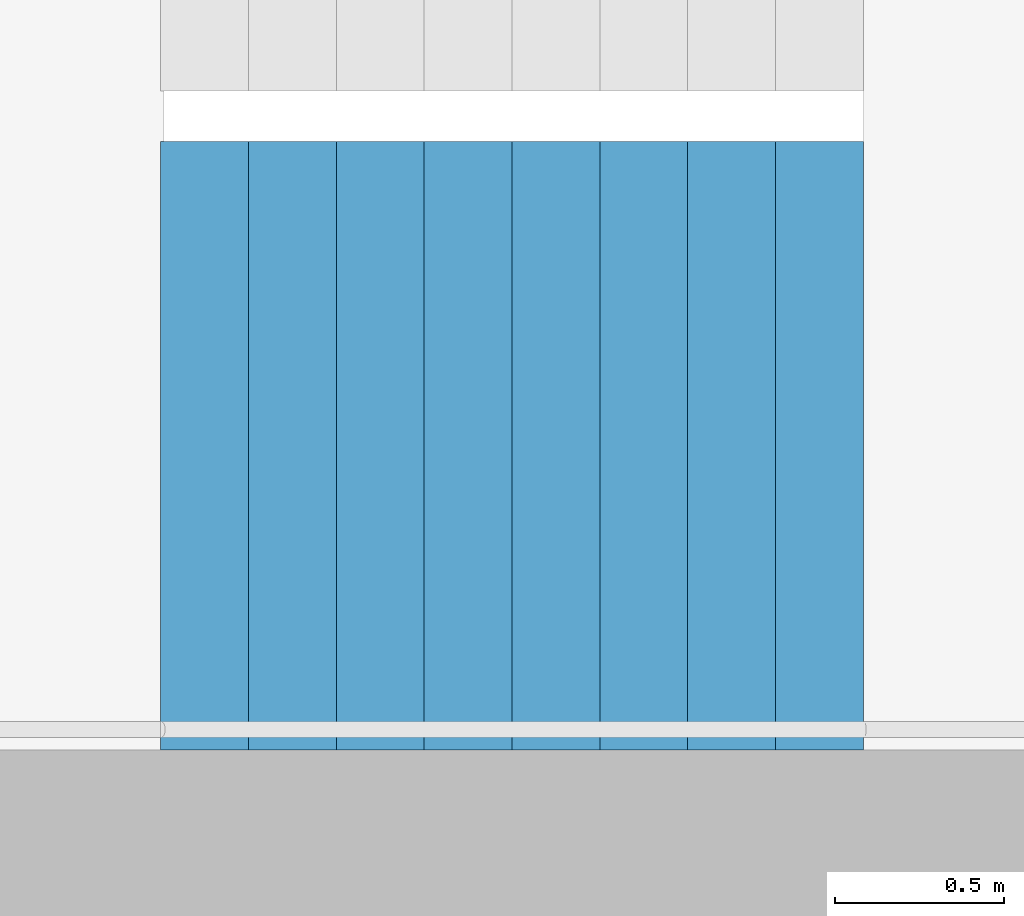
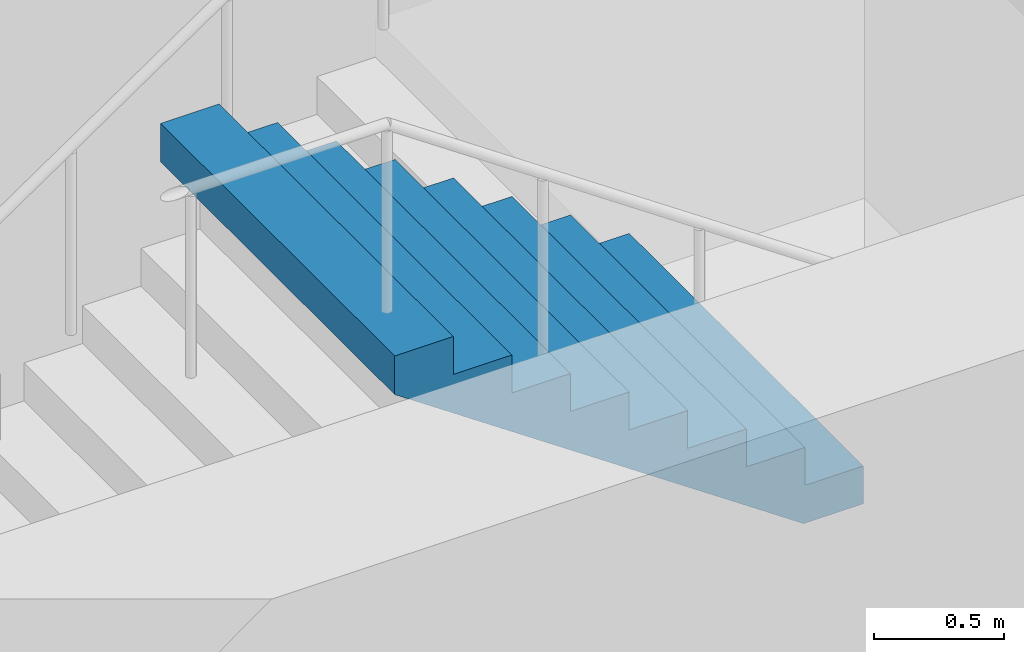
# One storey, part 25 of 29: 1 stair flight, 1 element without a shape of its own.
"""IFC4 building model written with IfcOpenShell, lengths in metres."""

from ifc_helpers import new_model, si_unit, direction, frame, origin, place, context, subcontext, project, spatial, triangles, material, type_object, element, aggregate, save


model = new_model("IFC4")

# Units and contexts
model_context = context("Model", 3, precision=1e-05, world=origin(), true_north=direction((0.0, 1.0)))
body_context = subcontext(model_context, "Body", "Model", "MODEL_VIEW")
ifc_project = project(units=[si_unit("LENGTHUNIT", "METRE"), si_unit("AREAUNIT", "SQUARE_METRE"), si_unit("VOLUMEUNIT", "CUBIC_METRE"), si_unit("PLANEANGLEUNIT", "RADIAN"), si_unit("MASSUNIT", "GRAM", prefix="KILO")], contexts=[model_context])

# Site, building, storey
site_placement = place(None, origin())
site = spatial("IfcSite", under=ifc_project, at=site_placement, CompositionType="ELEMENT")
building_placement = place(site_placement, origin())
building = spatial("IfcBuilding", under=site, at=building_placement, Name="Hakoniwa Tower and Hamabe Station Hall", CompositionType="ELEMENT")
storey_placement = place(building_placement, frame((0.0, 0.0, 45.39990234375)))
storey = spatial("IfcBuildingStorey", under=building, at=storey_placement, Name="L12", CompositionType="ELEMENT", Elevation=45.39990234375)

# Stair, stair flight
ifc_material_1 = material(Name="Concrete C40", Category="concrete")
stair_type = type_object("IfcStairType", Name="ESCAPE STAIR 1800", PredefinedType="HALF_TURN_STAIR", material=ifc_material_1)
stair_placement = place(storey_placement, origin())
stair = element("IfcStair", 1, at=stair_placement, inside=storey, type_object=stair_type, Name="Escape stair ST-4 L12", PredefinedType="HALF_TURN_STAIR")
ifc_material_2 = material(Name="Concrete C40", Category="concrete")
stair_flight_type = type_object("IfcStairFlightType", Name="STAIR FLIGHT 1800", PredefinedType="STRAIGHT", material=ifc_material_2)
stair_flight_placement = place(storey_placement, frame((25.47998046875, -6.60009765625, 1.60009765625), z_axis=(0.0, 0.0, 1.0), x_axis=(-1.0, 0.0, 0.0)))
stair_flight = element("IfcStairFlight", 2, at=stair_flight_placement, type_object=stair_flight_type, Name="ST-4 flight 2", NumberOfRisers=9, NumberOfTreads=8, PredefinedType="STRAIGHT", RiserHeight=0.177777778, TreadLength=0.26, context=body_context, shape_type="Tessellation", body=[
    triangles([(0.0, 0.89990234375, 0.0), (0.260009765625, 0.89990234375, 0.0), (0.265625, 0.89990234375, 0.0), (0.52001953125, 0.89990234375, 0.174072265625), (0.780029296875, 0.89990234375, 0.351806640625), (1.0400390625, 0.89990234375, 0.529541015625), (1.300048828125, 0.89990234375, 0.707275390625), (1.56005859375, 0.89990234375, 0.885009765625), (1.820068359375, 0.89990234375, 1.062744140625), (2.080078125, 0.89990234375, 1.24072265625), (2.080078125, 0.89990234375, 1.422119140625), (1.820068359375, 0.89990234375, 1.422119140625), (1.820068359375, 0.89990234375, 1.244384765625), (1.56005859375, 0.89990234375, 1.244384765625), (1.56005859375, 0.89990234375, 1.066650390625), (1.300048828125, 0.89990234375, 1.066650390625), (1.300048828125, 0.89990234375, 0.888916015625), (1.0400390625, 0.89990234375, 0.888916015625), (1.0400390625, 0.89990234375, 0.711181640625), (0.780029296875, 0.89990234375, 0.711181640625), (0.780029296875, 0.89990234375, 0.533447265625), (0.52001953125, 0.89990234375, 0.533447265625), (0.52001953125, 0.89990234375, 0.35546875), (0.265625, 0.89990234375, 0.35546875), (0.260009765625, 0.89990234375, 0.35546875), (0.260009765625, 0.89990234375, 0.177734375), (0.0, 0.89990234375, 0.177734375), (0.0, 0.06005859375, 0.0), (0.260009765625, 0.06005859375, 0.0), (0.265625, 0.06005859375, 0.0), (0.52001953125, 0.06005859375, 0.174072265625), (0.780029296875, 0.06005859375, 0.351806640625), (1.0400390625, 0.06005859375, 0.529541015625), (1.300048828125, 0.06005859375, 0.707275390625), (1.56005859375, 0.06005859375, 0.885009765625), (1.820068359375, 0.06005859375, 1.062744140625), (2.080078125, 0.06005859375, 1.24072265625), (2.080078125, 0.06005859375, 1.422119140625), (1.820068359375, 0.06005859375, 1.422119140625), (1.820068359375, 0.06005859375, 1.244384765625), (1.56005859375, 0.06005859375, 1.244384765625), (1.56005859375, 0.06005859375, 1.066650390625), (1.300048828125, 0.06005859375, 1.066650390625), (1.300048828125, 0.06005859375, 0.888916015625), (1.0400390625, 0.06005859375, 0.888916015625), (1.0400390625, 0.06005859375, 0.711181640625), (0.780029296875, 0.06005859375, 0.711181640625), (0.780029296875, 0.06005859375, 0.533447265625), (0.52001953125, 0.06005859375, 0.533447265625), (0.52001953125, 0.06005859375, 0.35546875), (0.265625, 0.06005859375, 0.35546875), (0.260009765625, 0.06005859375, 0.35546875), (0.260009765625, 0.06005859375, 0.177734375), (0.0, 0.06005859375, 0.177734375), (0.0, 0.04296875, 0.0), (0.260009765625, 0.04296875, 0.0), (0.265625, 0.04296875, 0.0), (0.52001953125, 0.04296875, 0.174072265625), (0.780029296875, 0.04296875, 0.351806640625), (1.0400390625, 0.04296875, 0.529541015625), (1.300048828125, 0.04296875, 0.707275390625), (1.56005859375, 0.04296875, 0.885009765625), (1.820068359375, 0.04296875, 1.062744140625), (2.080078125, 0.04296875, 1.24072265625), (2.080078125, 0.04296875, 1.422119140625), (1.820068359375, 0.04296875, 1.422119140625), (1.820068359375, 0.04296875, 1.244384765625), (1.56005859375, 0.04296875, 1.244384765625), (1.56005859375, 0.04296875, 1.066650390625), (1.300048828125, 0.04296875, 1.066650390625), (1.300048828125, 0.04296875, 0.888916015625), (1.0400390625, 0.04296875, 0.888916015625), (1.0400390625, 0.04296875, 0.711181640625), (0.780029296875, 0.04296875, 0.711181640625), (0.780029296875, 0.04296875, 0.533447265625), (0.52001953125, 0.04296875, 0.533447265625), (0.52001953125, 0.04296875, 0.35546875), (0.265625, 0.04296875, 0.35546875), (0.260009765625, 0.04296875, 0.35546875), (0.260009765625, 0.04296875, 0.177734375), (0.0, 0.04296875, 0.177734375), (0.0, 0.025634765625, 0.0), (0.260009765625, 0.025634765625, 0.0), (0.265625, 0.025634765625, 0.0), (0.52001953125, 0.025634765625, 0.174072265625), (0.780029296875, 0.025634765625, 0.351806640625), (1.0400390625, 0.025634765625, 0.529541015625), (1.300048828125, 0.025634765625, 0.707275390625), (1.56005859375, 0.025634765625, 0.885009765625), (1.820068359375, 0.025634765625, 1.062744140625), (2.080078125, 0.025634765625, 1.24072265625), (2.080078125, 0.025634765625, 1.422119140625), (1.820068359375, 0.025634765625, 1.422119140625), (1.820068359375, 0.025634765625, 1.244384765625), (1.56005859375, 0.025634765625, 1.244384765625), (1.56005859375, 0.025634765625, 1.066650390625), (1.300048828125, 0.025634765625, 1.066650390625), (1.300048828125, 0.025634765625, 0.888916015625), (1.0400390625, 0.025634765625, 0.888916015625), (1.0400390625, 0.025634765625, 0.711181640625), (0.780029296875, 0.025634765625, 0.711181640625), (0.780029296875, 0.025634765625, 0.533447265625), (0.52001953125, 0.025634765625, 0.533447265625), (0.52001953125, 0.025634765625, 0.35546875), (0.265625, 0.025634765625, 0.35546875), (0.260009765625, 0.025634765625, 0.35546875), (0.260009765625, 0.025634765625, 0.177734375), (0.0, 0.025634765625, 0.177734375), (0.0, 0.008544921875, 0.0), (0.260009765625, 0.008544921875, 0.0), (0.265625, 0.008544921875, 0.0), (0.52001953125, 0.008544921875, 0.174072265625), (0.780029296875, 0.008544921875, 0.351806640625), (1.0400390625, 0.008544921875, 0.529541015625), (1.300048828125, 0.008544921875, 0.707275390625), (1.56005859375, 0.008544921875, 0.885009765625), (1.820068359375, 0.008544921875, 1.062744140625), (2.080078125, 0.008544921875, 1.24072265625), (2.080078125, 0.008544921875, 1.422119140625), (1.820068359375, 0.008544921875, 1.422119140625), (1.820068359375, 0.008544921875, 1.244384765625), (1.56005859375, 0.008544921875, 1.244384765625), (1.56005859375, 0.008544921875, 1.066650390625), (1.300048828125, 0.008544921875, 1.066650390625), (1.300048828125, 0.008544921875, 0.888916015625), (1.0400390625, 0.008544921875, 0.888916015625), (1.0400390625, 0.008544921875, 0.711181640625), (0.780029296875, 0.008544921875, 0.711181640625), (0.780029296875, 0.008544921875, 0.533447265625), (0.52001953125, 0.008544921875, 0.533447265625), (0.52001953125, 0.008544921875, 0.35546875), (0.265625, 0.008544921875, 0.35546875), (0.260009765625, 0.008544921875, 0.35546875), (0.260009765625, 0.008544921875, 0.177734375), (0.0, 0.008544921875, 0.177734375), (0.0, -0.008544921875, 0.0), (0.260009765625, -0.008544921875, 0.0), (0.265625, -0.008544921875, 0.0), (0.52001953125, -0.008544921875, 0.174072265625), (0.780029296875, -0.008544921875, 0.351806640625), (1.0400390625, -0.008544921875, 0.529541015625), (1.300048828125, -0.008544921875, 0.707275390625), (1.56005859375, -0.008544921875, 0.885009765625), (1.820068359375, -0.008544921875, 1.062744140625), (2.080078125, -0.008544921875, 1.24072265625), (2.080078125, -0.008544921875, 1.422119140625), (1.820068359375, -0.008544921875, 1.422119140625), (1.820068359375, -0.008544921875, 1.244384765625), (1.56005859375, -0.008544921875, 1.244384765625), (1.56005859375, -0.008544921875, 1.066650390625), (1.300048828125, -0.008544921875, 1.066650390625), (1.300048828125, -0.008544921875, 0.888916015625), (1.0400390625, -0.008544921875, 0.888916015625), (1.0400390625, -0.008544921875, 0.711181640625), (0.780029296875, -0.008544921875, 0.711181640625), (0.780029296875, -0.008544921875, 0.533447265625), (0.52001953125, -0.008544921875, 0.533447265625), (0.52001953125, -0.008544921875, 0.35546875), (0.265625, -0.008544921875, 0.35546875), (0.260009765625, -0.008544921875, 0.35546875), (0.260009765625, -0.008544921875, 0.177734375), (0.0, -0.008544921875, 0.177734375), (0.0, -0.025634765625, 0.0), (0.260009765625, -0.025634765625, 0.0), (0.265625, -0.025634765625, 0.0), (0.52001953125, -0.025634765625, 0.174072265625), (0.780029296875, -0.025634765625, 0.351806640625), (1.0400390625, -0.025634765625, 0.529541015625), (1.300048828125, -0.025634765625, 0.707275390625), (1.56005859375, -0.025634765625, 0.885009765625), (1.820068359375, -0.025634765625, 1.062744140625), (2.080078125, -0.025634765625, 1.24072265625), (2.080078125, -0.025634765625, 1.422119140625), (1.820068359375, -0.025634765625, 1.422119140625), (1.820068359375, -0.025634765625, 1.244384765625), (1.56005859375, -0.025634765625, 1.244384765625), (1.56005859375, -0.025634765625, 1.066650390625), (1.300048828125, -0.025634765625, 1.066650390625), (1.300048828125, -0.025634765625, 0.888916015625), (1.0400390625, -0.025634765625, 0.888916015625), (1.0400390625, -0.025634765625, 0.711181640625), (0.780029296875, -0.025634765625, 0.711181640625), (0.780029296875, -0.025634765625, 0.533447265625), (0.52001953125, -0.025634765625, 0.533447265625), (0.52001953125, -0.025634765625, 0.35546875), (0.265625, -0.025634765625, 0.35546875), (0.260009765625, -0.025634765625, 0.35546875), (0.260009765625, -0.025634765625, 0.177734375), (0.0, -0.025634765625, 0.177734375), (0.0, -0.04296875, 0.0), (0.260009765625, -0.04296875, 0.0), (0.265625, -0.04296875, 0.0), (0.52001953125, -0.04296875, 0.174072265625), (0.780029296875, -0.04296875, 0.351806640625), (1.0400390625, -0.04296875, 0.529541015625), (1.300048828125, -0.04296875, 0.707275390625), (1.56005859375, -0.04296875, 0.885009765625), (1.820068359375, -0.04296875, 1.062744140625), (2.080078125, -0.04296875, 1.24072265625), (2.080078125, -0.04296875, 1.422119140625), (1.820068359375, -0.04296875, 1.422119140625), (1.820068359375, -0.04296875, 1.244384765625), (1.56005859375, -0.04296875, 1.244384765625), (1.56005859375, -0.04296875, 1.066650390625), (1.300048828125, -0.04296875, 1.066650390625), (1.300048828125, -0.04296875, 0.888916015625), (1.0400390625, -0.04296875, 0.888916015625), (1.0400390625, -0.04296875, 0.711181640625), (0.780029296875, -0.04296875, 0.711181640625), (0.780029296875, -0.04296875, 0.533447265625), (0.52001953125, -0.04296875, 0.533447265625), (0.52001953125, -0.04296875, 0.35546875), (0.265625, -0.04296875, 0.35546875), (0.260009765625, -0.04296875, 0.35546875), (0.260009765625, -0.04296875, 0.177734375), (0.0, -0.04296875, 0.177734375), (0.0, -0.06005859375, 0.0), (0.260009765625, -0.06005859375, 0.0), (0.265625, -0.06005859375, 0.0), (0.52001953125, -0.06005859375, 0.174072265625), (0.780029296875, -0.06005859375, 0.351806640625), (1.0400390625, -0.06005859375, 0.529541015625), (1.300048828125, -0.06005859375, 0.707275390625), (1.56005859375, -0.06005859375, 0.885009765625), (1.820068359375, -0.06005859375, 1.062744140625), (2.080078125, -0.06005859375, 1.24072265625), (2.080078125, -0.06005859375, 1.422119140625), (1.820068359375, -0.06005859375, 1.422119140625), (1.820068359375, -0.06005859375, 1.244384765625), (1.56005859375, -0.06005859375, 1.244384765625), (1.56005859375, -0.06005859375, 1.066650390625), (1.300048828125, -0.06005859375, 1.066650390625), (1.300048828125, -0.06005859375, 0.888916015625), (1.0400390625, -0.06005859375, 0.888916015625), (1.0400390625, -0.06005859375, 0.711181640625), (0.780029296875, -0.06005859375, 0.711181640625), (0.780029296875, -0.06005859375, 0.533447265625), (0.52001953125, -0.06005859375, 0.533447265625), (0.52001953125, -0.06005859375, 0.35546875), (0.265625, -0.06005859375, 0.35546875), (0.260009765625, -0.06005859375, 0.35546875), (0.260009765625, -0.06005859375, 0.177734375), (0.0, -0.06005859375, 0.177734375), (0.0, -0.89990234375, 0.0), (0.260009765625, -0.89990234375, 0.0), (0.265625, -0.89990234375, 0.0), (0.52001953125, -0.89990234375, 0.174072265625), (0.780029296875, -0.89990234375, 0.351806640625), (1.0400390625, -0.89990234375, 0.529541015625), (1.300048828125, -0.89990234375, 0.707275390625), (1.56005859375, -0.89990234375, 0.885009765625), (1.820068359375, -0.89990234375, 1.062744140625), (2.080078125, -0.89990234375, 1.24072265625), (2.080078125, -0.89990234375, 1.422119140625), (1.820068359375, -0.89990234375, 1.422119140625), (1.820068359375, -0.89990234375, 1.244384765625), (1.56005859375, -0.89990234375, 1.244384765625), (1.56005859375, -0.89990234375, 1.066650390625), (1.300048828125, -0.89990234375, 1.066650390625), (1.300048828125, -0.89990234375, 0.888916015625), (1.0400390625, -0.89990234375, 0.888916015625), (1.0400390625, -0.89990234375, 0.711181640625), (0.780029296875, -0.89990234375, 0.711181640625), (0.780029296875, -0.89990234375, 0.533447265625), (0.52001953125, -0.89990234375, 0.533447265625), (0.52001953125, -0.89990234375, 0.35546875), (0.265625, -0.89990234375, 0.35546875), (0.260009765625, -0.89990234375, 0.35546875), (0.260009765625, -0.89990234375, 0.177734375), (0.0, -0.89990234375, 0.177734375)], [[2, 27, 26], [245, 269, 270], [2, 1, 27], [245, 270, 244], [3, 25, 24], [246, 267, 268], [3, 26, 25], [246, 268, 269], [3, 2, 26], [246, 269, 245], [4, 24, 23], [247, 266, 267], [4, 3, 24], [247, 267, 246], [5, 22, 21], [248, 264, 265], [5, 23, 22], [248, 265, 266], [5, 4, 23], [248, 266, 247], [6, 20, 19], [249, 262, 263], [6, 21, 20], [249, 263, 264], [6, 5, 21], [249, 264, 248], [7, 18, 17], [250, 260, 261], [7, 19, 18], [250, 261, 262], [7, 6, 19], [250, 262, 249], [8, 16, 15], [251, 258, 259], [8, 17, 16], [251, 259, 260], [8, 7, 17], [251, 260, 250], [9, 14, 13], [252, 256, 257], [9, 15, 14], [252, 257, 258], [9, 8, 15], [252, 258, 251], [10, 12, 11], [253, 254, 255], [10, 13, 12], [253, 255, 256], [10, 9, 13], [253, 256, 252], [1, 2, 29], [1, 29, 28], [28, 29, 56], [28, 56, 55], [55, 56, 83], [55, 83, 82], [82, 83, 110], [82, 110, 109], [109, 110, 137], [109, 137, 136], [136, 137, 164], [136, 164, 163], [163, 164, 191], [163, 191, 190], [190, 191, 218], [190, 218, 217], [217, 218, 245], [217, 245, 244], [2, 3, 30], [2, 30, 29], [29, 30, 57], [29, 57, 56], [56, 57, 84], [56, 84, 83], [83, 84, 111], [83, 111, 110], [110, 111, 138], [110, 138, 137], [137, 138, 165], [137, 165, 164], [164, 165, 192], [164, 192, 191], [191, 192, 219], [191, 219, 218], [218, 219, 246], [218, 246, 245], [3, 4, 31], [3, 31, 30], [30, 31, 58], [30, 58, 57], [57, 58, 85], [57, 85, 84], [84, 85, 112], [84, 112, 111], [111, 112, 139], [111, 139, 138], [138, 139, 166], [138, 166, 165], [165, 166, 193], [165, 193, 192], [192, 193, 220], [192, 220, 219], [219, 220, 247], [219, 247, 246], [4, 5, 32], [4, 32, 31], [31, 32, 59], [31, 59, 58], [58, 59, 86], [58, 86, 85], [85, 86, 113], [85, 113, 112], [112, 113, 140], [112, 140, 139], [139, 140, 167], [139, 167, 166], [166, 167, 194], [166, 194, 193], [193, 194, 221], [193, 221, 220], [220, 221, 248], [220, 248, 247], [5, 6, 33], [5, 33, 32], [32, 33, 60], [32, 60, 59], [59, 60, 87], [59, 87, 86], [86, 87, 114], [86, 114, 113], [113, 114, 141], [113, 141, 140], [140, 141, 168], [140, 168, 167], [167, 168, 195], [167, 195, 194], [194, 195, 222], [194, 222, 221], [221, 222, 249], [221, 249, 248], [6, 7, 34], [6, 34, 33], [33, 34, 61], [33, 61, 60], [60, 61, 88], [60, 88, 87], [87, 88, 115], [87, 115, 114], [114, 115, 142], [114, 142, 141], [141, 142, 169], [141, 169, 168], [168, 169, 196], [168, 196, 195], [195, 196, 223], [195, 223, 222], [222, 223, 250], [222, 250, 249], [7, 8, 35], [7, 35, 34], [34, 35, 62], [34, 62, 61], [61, 62, 89], [61, 89, 88], [88, 89, 116], [88, 116, 115], [115, 116, 143], [115, 143, 142], [142, 143, 170], [142, 170, 169], [169, 170, 197], [169, 197, 196], [196, 197, 224], [196, 224, 223], [223, 224, 251], [223, 251, 250], [8, 9, 36], [8, 36, 35], [35, 36, 63], [35, 63, 62], [62, 63, 90], [62, 90, 89], [89, 90, 117], [89, 117, 116], [116, 117, 144], [116, 144, 143], [143, 144, 171], [143, 171, 170], [170, 171, 198], [170, 198, 197], [197, 198, 225], [197, 225, 224], [224, 225, 252], [224, 252, 251], [9, 10, 37], [9, 37, 36], [36, 37, 64], [36, 64, 63], [63, 64, 91], [63, 91, 90], [90, 91, 118], [90, 118, 117], [117, 118, 145], [117, 145, 144], [144, 145, 172], [144, 172, 171], [171, 172, 199], [171, 199, 198], [198, 199, 226], [198, 226, 225], [225, 226, 253], [225, 253, 252], [10, 11, 38], [10, 38, 37], [37, 38, 65], [37, 65, 64], [64, 65, 92], [64, 92, 91], [91, 92, 119], [91, 119, 118], [118, 119, 146], [118, 146, 145], [145, 146, 173], [145, 173, 172], [172, 173, 200], [172, 200, 199], [199, 200, 227], [199, 227, 226], [226, 227, 254], [226, 254, 253], [11, 12, 39], [11, 39, 38], [38, 39, 66], [38, 66, 65], [65, 66, 93], [65, 93, 92], [92, 93, 120], [92, 120, 119], [119, 120, 147], [119, 147, 146], [146, 147, 174], [146, 174, 173], [173, 174, 201], [173, 201, 200], [200, 201, 228], [200, 228, 227], [227, 228, 255], [227, 255, 254], [12, 13, 40], [12, 40, 39], [39, 40, 67], [39, 67, 66], [66, 67, 94], [66, 94, 93], [93, 94, 121], [93, 121, 120], [120, 121, 148], [120, 148, 147], [147, 148, 175], [147, 175, 174], [174, 175, 202], [174, 202, 201], [201, 202, 229], [201, 229, 228], [228, 229, 256], [228, 256, 255], [13, 14, 41], [13, 41, 40], [40, 41, 68], [40, 68, 67], [67, 68, 95], [67, 95, 94], [94, 95, 122], [94, 122, 121], [121, 122, 149], [121, 149, 148], [148, 149, 176], [148, 176, 175], [175, 176, 203], [175, 203, 202], [202, 203, 230], [202, 230, 229], [229, 230, 257], [229, 257, 256], [14, 15, 42], [14, 42, 41], [41, 42, 69], [41, 69, 68], [68, 69, 96], [68, 96, 95], [95, 96, 123], [95, 123, 122], [122, 123, 150], [122, 150, 149], [149, 150, 177], [149, 177, 176], [176, 177, 204], [176, 204, 203], [203, 204, 231], [203, 231, 230], [230, 231, 258], [230, 258, 257], [15, 16, 43], [15, 43, 42], [42, 43, 70], [42, 70, 69], [69, 70, 97], [69, 97, 96], [96, 97, 124], [96, 124, 123], [123, 124, 151], [123, 151, 150], [150, 151, 178], [150, 178, 177], [177, 178, 205], [177, 205, 204], [204, 205, 232], [204, 232, 231], [231, 232, 259], [231, 259, 258], [16, 17, 44], [16, 44, 43], [43, 44, 71], [43, 71, 70], [70, 71, 98], [70, 98, 97], [97, 98, 125], [97, 125, 124], [124, 125, 152], [124, 152, 151], [151, 152, 179], [151, 179, 178], [178, 179, 206], [178, 206, 205], [205, 206, 233], [205, 233, 232], [232, 233, 260], [232, 260, 259], [17, 18, 45], [17, 45, 44], [44, 45, 72], [44, 72, 71], [71, 72, 99], [71, 99, 98], [98, 99, 126], [98, 126, 125], [125, 126, 153], [125, 153, 152], [152, 153, 180], [152, 180, 179], [179, 180, 207], [179, 207, 206], [206, 207, 234], [206, 234, 233], [233, 234, 261], [233, 261, 260], [18, 19, 46], [18, 46, 45], [45, 46, 73], [45, 73, 72], [72, 73, 100], [72, 100, 99], [99, 100, 127], [99, 127, 126], [126, 127, 154], [126, 154, 153], [153, 154, 181], [153, 181, 180], [180, 181, 208], [180, 208, 207], [207, 208, 235], [207, 235, 234], [234, 235, 262], [234, 262, 261], [19, 20, 47], [19, 47, 46], [46, 47, 74], [46, 74, 73], [73, 74, 101], [73, 101, 100], [100, 101, 128], [100, 128, 127], [127, 128, 155], [127, 155, 154], [154, 155, 182], [154, 182, 181], [181, 182, 209], [181, 209, 208], [208, 209, 236], [208, 236, 235], [235, 236, 263], [235, 263, 262], [20, 21, 48], [20, 48, 47], [47, 48, 75], [47, 75, 74], [74, 75, 102], [74, 102, 101], [101, 102, 129], [101, 129, 128], [128, 129, 156], [128, 156, 155], [155, 156, 183], [155, 183, 182], [182, 183, 210], [182, 210, 209], [209, 210, 237], [209, 237, 236], [236, 237, 264], [236, 264, 263], [21, 22, 49], [21, 49, 48], [48, 49, 76], [48, 76, 75], [75, 76, 103], [75, 103, 102], [102, 103, 130], [102, 130, 129], [129, 130, 157], [129, 157, 156], [156, 157, 184], [156, 184, 183], [183, 184, 211], [183, 211, 210], [210, 211, 238], [210, 238, 237], [237, 238, 265], [237, 265, 264], [22, 23, 50], [22, 50, 49], [49, 50, 77], [49, 77, 76], [76, 77, 104], [76, 104, 103], [103, 104, 131], [103, 131, 130], [130, 131, 158], [130, 158, 157], [157, 158, 185], [157, 185, 184], [184, 185, 212], [184, 212, 211], [211, 212, 239], [211, 239, 238], [238, 239, 266], [238, 266, 265], [23, 24, 51], [23, 51, 50], [50, 51, 78], [50, 78, 77], [77, 78, 105], [77, 105, 104], [104, 105, 132], [104, 132, 131], [131, 132, 159], [131, 159, 158], [158, 159, 186], [158, 186, 185], [185, 186, 213], [185, 213, 212], [212, 213, 240], [212, 240, 239], [239, 240, 267], [239, 267, 266], [24, 25, 52], [24, 52, 51], [51, 52, 79], [51, 79, 78], [78, 79, 106], [78, 106, 105], [105, 106, 133], [105, 133, 132], [132, 133, 160], [132, 160, 159], [159, 160, 187], [159, 187, 186], [186, 187, 214], [186, 214, 213], [213, 214, 241], [213, 241, 240], [240, 241, 268], [240, 268, 267], [25, 26, 53], [25, 53, 52], [52, 53, 80], [52, 80, 79], [79, 80, 107], [79, 107, 106], [106, 107, 134], [106, 134, 133], [133, 134, 161], [133, 161, 160], [160, 161, 188], [160, 188, 187], [187, 188, 215], [187, 215, 214], [214, 215, 242], [214, 242, 241], [241, 242, 269], [241, 269, 268], [26, 27, 54], [26, 54, 53], [53, 54, 81], [53, 81, 80], [80, 81, 108], [80, 108, 107], [107, 108, 135], [107, 135, 134], [134, 135, 162], [134, 162, 161], [161, 162, 189], [161, 189, 188], [188, 189, 216], [188, 216, 215], [215, 216, 243], [215, 243, 242], [242, 243, 270], [242, 270, 269], [27, 1, 28], [27, 28, 54], [54, 28, 55], [54, 55, 81], [81, 55, 82], [81, 82, 108], [108, 82, 109], [108, 109, 135], [135, 109, 136], [135, 136, 162], [162, 136, 163], [162, 163, 189], [189, 163, 190], [189, 190, 216], [216, 190, 217], [216, 217, 243], [243, 217, 244], [243, 244, 270]], closed=True),
])
aggregate(stair, [stair_flight])

save(model, "model.ifc")
